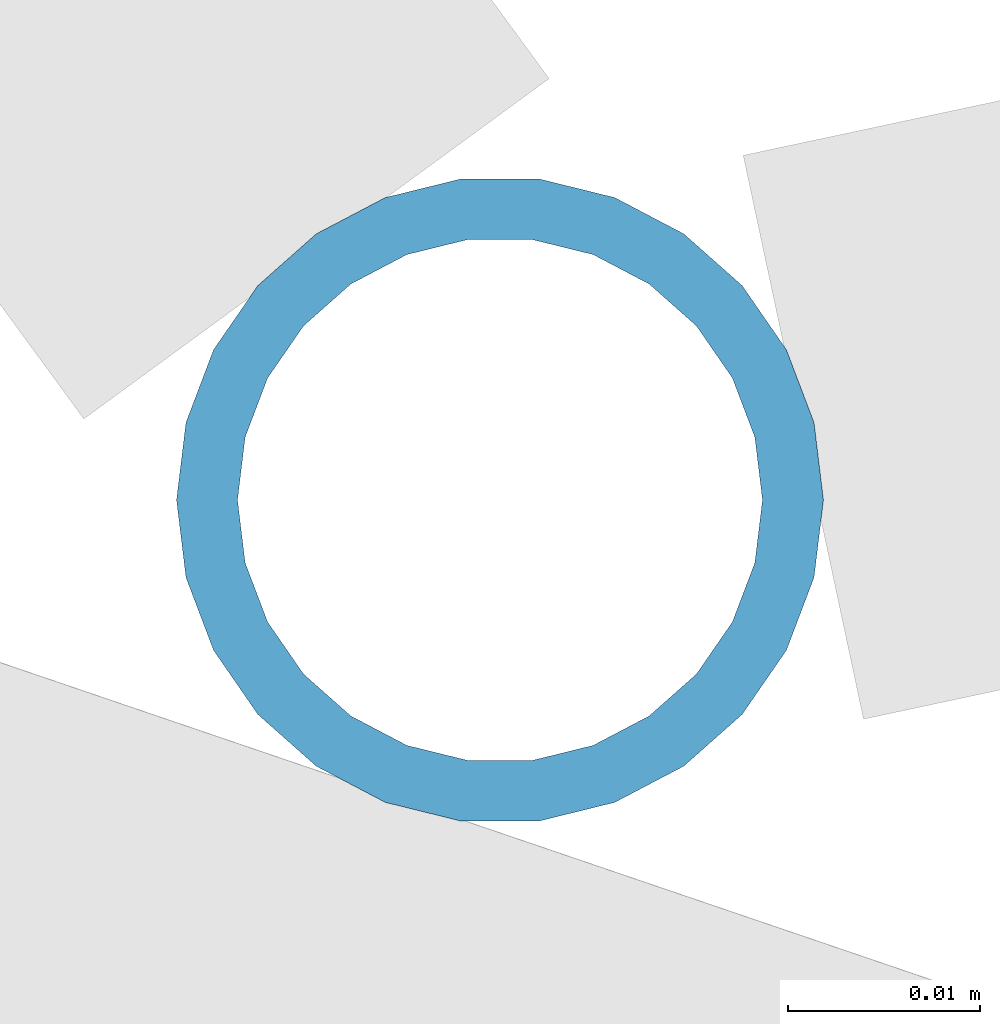
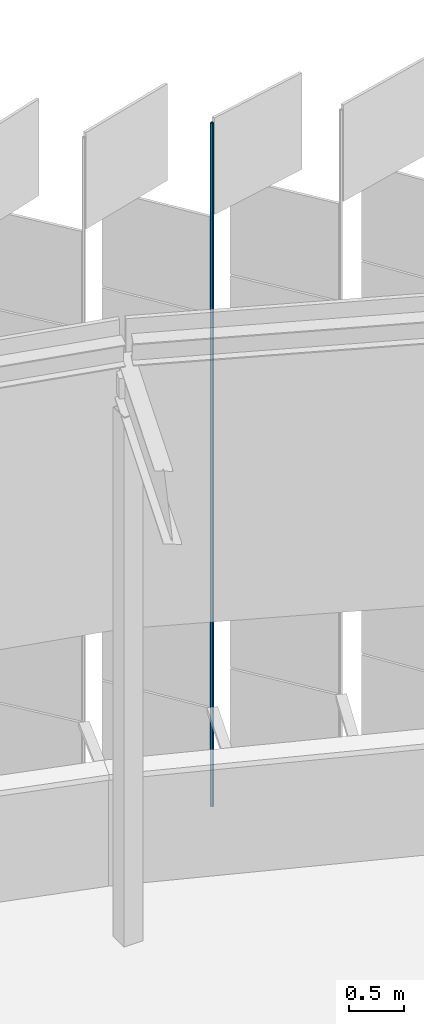
# One storey, part 395 of 483: 1 discrete accessory.
"""IFC4 building model written with IfcOpenShell, lengths in metres."""

from ifc_helpers import new_model, si_unit, direction, frame, origin, origin_2d, place, context, subcontext, project, spatial, hollow_circle, extrude, material, material_profile, profile_set, type_object, element, save


model = new_model("IFC4")

# Units and contexts
model_context = context("Model", 3, precision=1e-05, world=origin(), true_north=direction((0.0, 1.0)))
body_context = subcontext(model_context, "Body", "Model", "MODEL_VIEW")
ifc_project = project(units=[si_unit("LENGTHUNIT", "METRE"), si_unit("AREAUNIT", "SQUARE_METRE"), si_unit("VOLUMEUNIT", "CUBIC_METRE"), si_unit("PLANEANGLEUNIT", "RADIAN"), si_unit("MASSUNIT", "GRAM", prefix="KILO")], contexts=[model_context])

# Site, building, storey
site_placement = place(None, origin())
site = spatial("IfcSite", under=ifc_project, at=site_placement, CompositionType="ELEMENT")
building_placement = place(site_placement, origin())
building = spatial("IfcBuilding", under=site, at=building_placement, Name="Parallax Yard Mobility Hub", CompositionType="ELEMENT")
storey_placement = place(building_placement, frame((0.0, 0.0, 13.199951171875)))
storey = spatial("IfcBuildingStorey", under=building, at=storey_placement, Name="L04", CompositionType="ELEMENT", Elevation=13.199951171875)

# Discrete accessory
ifc_material = material(Name="Steel ASTM A500 Gr C, hot-dip galvanised", Category="steel")
ifc_material_profile = material_profile(ifc_material, hollow_circle(Radius=0.016845703125, WallThickness=0.003173828125, at=origin_2d()), Name="CHS 33.7x3.2")
ifc_profile_set = profile_set([ifc_material_profile], Name="Steel ASTM A500 Gr C, hot-dip galvanised")
discrete_accessory_type = type_object("IfcDiscreteAccessoryType", Name="Hinge post CHS 33.7x3.2", PredefinedType="BRACKET", material=ifc_profile_set)
discrete_accessory_placement = place(storey_placement, frame((190.1064453125, 140.32958984375, 0.0), z_axis=(0.0, 0.0, 1.0), x_axis=(1.0, 0.0, 0.0)))
element("IfcDiscreteAccessory", 1, at=discrete_accessory_placement, inside=storey, type_object=discrete_accessory_type, Name="Hinge post bay 48.7 level L04", PredefinedType="BRACKET", context=body_context, shape_type="SweptSolid", body=[
    extrude(hollow_circle(Radius=0.016845703125, WallThickness=0.003173828125, at=origin_2d()), origin(), (0.0, 0.0, 1.0), 7.650146484375),
])

save(model, "model.ifc")
